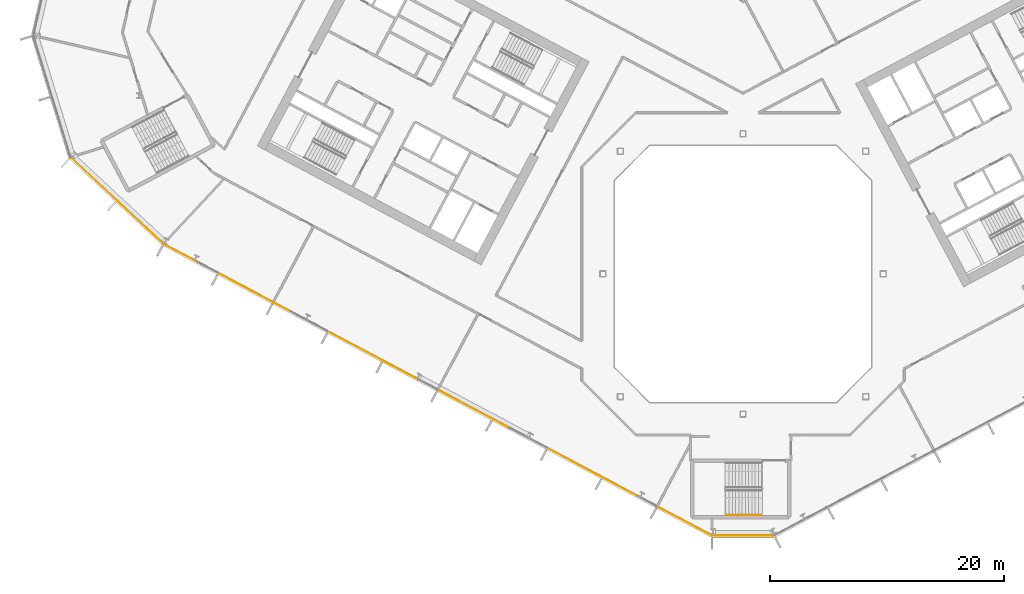
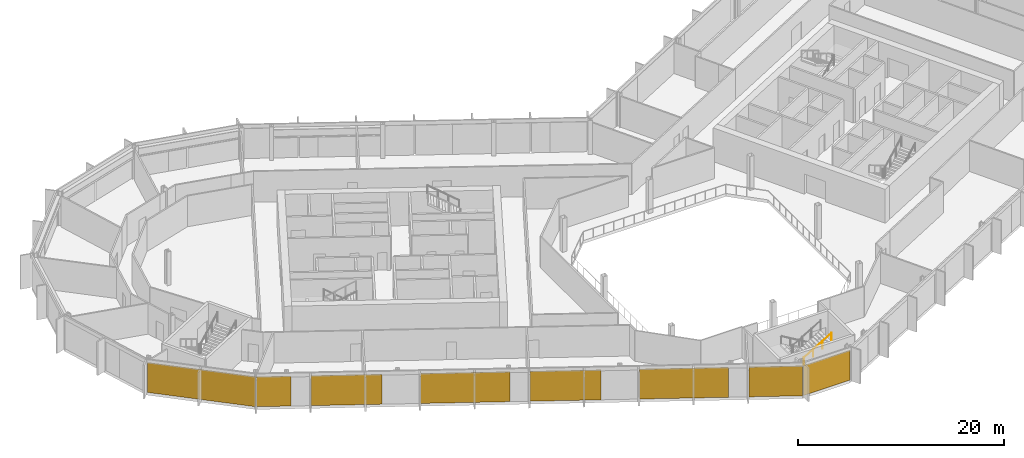
# One storey, part 19 of 28: 8 coverings, 1 railing, 3 elements without a shape of their own.
"""IFC4 building model written with IfcOpenShell, lengths in metres."""

from ifc_helpers import new_model, si_unit, direction, frame, origin, origin_2d, place, context, subcontext, project, spatial, polyline, rectangle, outline, extrude, material, layer, layer_set, type_object, element, aggregate, save


model = new_model("IFC4")

# Units and contexts
model_context = context("Model", 3, precision=1e-05, world=origin(), true_north=direction((0.0, 1.0)))
body_context = subcontext(model_context, "Body", "Model", "MODEL_VIEW")
ifc_project = project(units=[si_unit("LENGTHUNIT", "METRE"), si_unit("AREAUNIT", "SQUARE_METRE"), si_unit("VOLUMEUNIT", "CUBIC_METRE"), si_unit("PLANEANGLEUNIT", "RADIAN"), si_unit("MASSUNIT", "GRAM", prefix="KILO")], contexts=[model_context])

# Site, building, storey
site_placement = place(None, origin())
site = spatial("IfcSite", under=ifc_project, at=site_placement, CompositionType="ELEMENT")
building_placement = place(site_placement, origin())
building = spatial("IfcBuilding", under=site, at=building_placement, Name="Cormorant Relay Tower", CompositionType="ELEMENT")
storey_placement = place(building_placement, frame((0.0, 0.0, 126.199951171875)))
storey = spatial("IfcBuildingStorey", under=building, at=storey_placement, Name="L25", CompositionType="ELEMENT", Elevation=126.199951171875)

# Curtain wall, covering
ifc_material_1 = material(Name="Aluminium 6063-T6 anodised bronze", Category="aluminium")
ifc_layer_1 = layer(ifc_material_1, 0.199951171875)
ifc_layer_set_1 = layer_set([ifc_layer_1], Name="CW1 unitised bronze curtain wall with vertical fins")
curtain_wall_type = type_object("IfcCurtainWallType", Name="CW1 unitised bronze curtain wall with vertical fins", PredefinedType="NOTDEFINED", material=ifc_layer_set_1)
curtain_wall_1_placement = place(storey_placement, origin())
curtain_wall_1 = element("IfcCurtainWall", 1, at=curtain_wall_1_placement, inside=storey, type_object=curtain_wall_type, Name="CW1 curtain wall 1", PredefinedType="NOTDEFINED")
ifc_material_2 = material(Name="Pale bronze anodised aluminium insulated panel", Category="aluminium")
ifc_layer_2 = layer(ifc_material_2, 0.0400390625)
ifc_layer_set_2 = layer_set([ifc_layer_2], Name="CW1 pale bronze insulated panel 40")
covering_type = type_object("IfcCoveringType", Name="CW1 pale bronze insulated panel 40", PredefinedType="CLADDING", material=ifc_layer_set_2)
covering_1_placement = place(storey_placement, frame((0.03759765625, -22.3955078125, 0.0), z_axis=(0.0, 0.0, 1.0), x_axis=(1.0, 0.0, 0.0)))
covering_1 = element("IfcCovering", 2, at=covering_1_placement, type_object=covering_type, Name="CW1 panel S00", PredefinedType="CLADDING", context=body_context, shape_type="SweptSolid", body=[
    extrude(rectangle(XDim=5.22265625, YDim=0.0400390625, at=origin_2d()), origin(), (0.0, 0.0, 1.0), 3.550048828125),
])
aggregate(curtain_wall_1, [covering_1])

curtain_wall_2_placement = place(storey_placement, origin())
curtain_wall_2 = element("IfcCurtainWall", 3, at=curtain_wall_2_placement, inside=storey, type_object=curtain_wall_type, Name="CW1 curtain wall 15", PredefinedType="NOTDEFINED")
covering_2_placement = place(storey_placement, frame((-53.552734375, 6.2509765625, 0.0), z_axis=(0.0, 0.0, 1.0), x_axis=(0.731353701619, -0.681998360062, 0.0)))
covering_2 = element("IfcCovering", 4, at=covering_2_placement, type_object=covering_type, Name="CW1 panel S00", PredefinedType="CLADDING", context=body_context, shape_type="SweptSolid", body=[
    extrude(rectangle(XDim=10.79541015625, YDim=0.0400390625, at=origin_2d()), origin(), (0.0, 0.0, 1.0), 3.550048828125),
])
aggregate(curtain_wall_2, [covering_2])

# Curtain wall, coverings
curtain_wall_3_placement = place(storey_placement, origin())
curtain_wall_3 = element("IfcCurtainWall", 5, at=curtain_wall_3_placement, inside=storey, type_object=curtain_wall_type, Name="CW1 curtain wall 16", PredefinedType="NOTDEFINED")
covering_3_placement = place(storey_placement, frame((-48.048583984375, 1.7412109375, 0.0), z_axis=(0.0, 0.0, 1.0), x_axis=(0.882947592859, -0.469471562786, 0.0)))
covering_3 = element("IfcCovering", 6, at=covering_3_placement, type_object=covering_type, Name="CW1 panel S00", PredefinedType="CLADDING", context=body_context, shape_type="SweptSolid", body=[
    extrude(rectangle(XDim=3.36669921875, YDim=0.0400390625, at=origin_2d()), origin(), (0.0, 0.0, 1.0), 3.550048828125),
])
covering_4_placement = place(storey_placement, frame((-41.8017578125, -1.580322265625, 0.0), z_axis=(0.0, 0.0, 1.0), x_axis=(0.882947592859, -0.469471562786, 0.0)))
covering_4 = element("IfcCovering", 7, at=covering_4_placement, type_object=covering_type, Name="CW1 panel S02", PredefinedType="CLADDING", context=body_context, shape_type="SweptSolid", body=[
    extrude(rectangle(XDim=6.88330078125, YDim=0.0400390625, at=origin_2d()), origin(), (0.0, 0.0, 1.0), 3.550048828125),
])
covering_5_placement = place(storey_placement, frame((-31.618408203125, -6.994873046875, 0.0), z_axis=(0.0, 0.0, 1.0), x_axis=(0.882947592859, -0.469471562786, 0.0)))
covering_5 = element("IfcCovering", 8, at=covering_5_placement, type_object=covering_type, Name="CW1 panel S04", PredefinedType="CLADDING", context=body_context, shape_type="SweptSolid", body=[
    extrude(rectangle(XDim=8.68310546875, YDim=0.0400390625, at=origin_2d()), origin(), (0.0, 0.0, 1.0), 3.550048828125),
])
covering_6_placement = place(storey_placement, frame((-23.024658203125, -11.564208984375, 0.0), z_axis=(0.0, 0.0, 1.0), x_axis=(0.882947592859, -0.469471562786, 0.0)))
covering_6 = element("IfcCovering", 9, at=covering_6_placement, type_object=covering_type, Name="CW1 panel S06", PredefinedType="CLADDING", context=body_context, shape_type="SweptSolid", body=[
    extrude(rectangle(XDim=6.88330078125, YDim=0.0400390625, at=origin_2d()), origin(), (0.0, 0.0, 1.0), 3.550048828125),
])
covering_7_placement = place(storey_placement, frame((-12.84130859375, -16.978759765625, 0.0), z_axis=(0.0, 0.0, 1.0), x_axis=(0.882947592859, -0.469471562786, 0.0)))
covering_7 = element("IfcCovering", 10, at=covering_7_placement, type_object=covering_type, Name="CW1 panel S08", PredefinedType="CLADDING", context=body_context, shape_type="SweptSolid", body=[
    extrude(rectangle(XDim=8.68310546875, YDim=0.0400390625, at=origin_2d()), origin(), (0.0, 0.0, 1.0), 3.550048828125),
])
covering_8_placement = place(storey_placement, frame((-4.972412109375, -21.162841796875, 0.0), z_axis=(0.0, 0.0, 1.0), x_axis=(0.882947592859, -0.469471562786, 0.0)))
covering_8 = element("IfcCovering", 11, at=covering_8_placement, type_object=covering_type, Name="CW1 panel S10", PredefinedType="CLADDING", context=body_context, shape_type="SweptSolid", body=[
    extrude(rectangle(XDim=5.24169921875, YDim=0.0400390625, at=origin_2d()), origin(), (0.0, 0.0, 1.0), 3.550048828125),
])
aggregate(curtain_wall_3, [covering_3, covering_4, covering_5, covering_6, covering_7, covering_8])

# Railing
ifc_material_3 = material(Name="Steel ASTM A572 Grade 50 (Fy 345 MPa)", Category="steel")
railing_type = type_object("IfcRailingType", Name="Stair handrail 900", PredefinedType="HANDRAIL", material=ifc_material_3)
railing_placement = place(storey_placement, frame((-1.47998046875, -20.625, 2.166748046875)))
element("IfcRailing", 12, at=railing_placement, inside=storey, type_object=railing_type, Name="L25 RK1 stair handrail 2", PredefinedType="HANDRAIL", context=body_context, shape_type="SweptSolid", body=[
    extrude(outline(polyline([(0.022216796875, 0.00927734375), (0.00927734375, 0.022216796875), (-0.00927734375, 0.022216796875), (-0.022216796875, 0.00927734375), (-0.022216796875, -0.00927734375), (-0.00927734375, -0.022216796875), (0.00927734375, -0.022216796875), (0.022216796875, -0.00927734375), (0.022216796875, 0.00927734375)])), frame((0.0, 0.0, 0.8759765625), z_axis=(0.859308565015, 0.0, 0.511457515432), x_axis=(0.0, 1.0, 0.0)), (0.0, 0.0, 1.0), 3.58447265625),
    extrude(outline(polyline([(0.019287109375, 0.008056640625), (0.008056640625, 0.019287109375), (-0.008056640625, 0.019287109375), (-0.019287109375, 0.008056640625), (-0.019287109375, -0.008056640625), (-0.008056640625, -0.019287109375), (0.008056640625, -0.019287109375), (0.019287109375, -0.008056640625), (0.019287109375, 0.008056640625)])), origin(), (0.0, 0.0, 1.0), 0.851806640625),
    extrude(outline(polyline([(0.019287109375, 0.008056640625), (0.008056640625, 0.019287109375), (-0.008056640625, 0.019287109375), (-0.019287109375, 0.008056640625), (-0.019287109375, -0.008056640625), (-0.008056640625, -0.019287109375), (0.008056640625, -0.019287109375), (0.019287109375, -0.008056640625), (0.019287109375, 0.008056640625)])), frame((1.026611328125, 0.0, 0.611083984375)), (0.0, 0.0, 1.0), 0.851806640625),
    extrude(outline(polyline([(0.019287109375, 0.008056640625), (0.008056640625, 0.019287109375), (-0.008056640625, 0.019287109375), (-0.019287109375, 0.008056640625), (-0.019287109375, -0.008056640625), (-0.008056640625, -0.019287109375), (0.008056640625, -0.019287109375), (0.019287109375, -0.008056640625), (0.019287109375, 0.008056640625)])), frame((2.053466796875, 0.0, 1.22216796875)), (0.0, 0.0, 1.0), 0.851806640625),
    extrude(outline(polyline([(0.019287109375, 0.008056640625), (0.008056640625, 0.019287109375), (-0.008056640625, 0.019287109375), (-0.019287109375, 0.008056640625), (-0.019287109375, -0.008056640625), (-0.008056640625, -0.019287109375), (0.008056640625, -0.019287109375), (0.019287109375, -0.008056640625), (0.019287109375, 0.008056640625)])), frame((3.080078125, 0.0, 1.833251953125)), (0.0, 0.0, 1.0), 0.851806640625),
])

save(model, "model.ifc")
